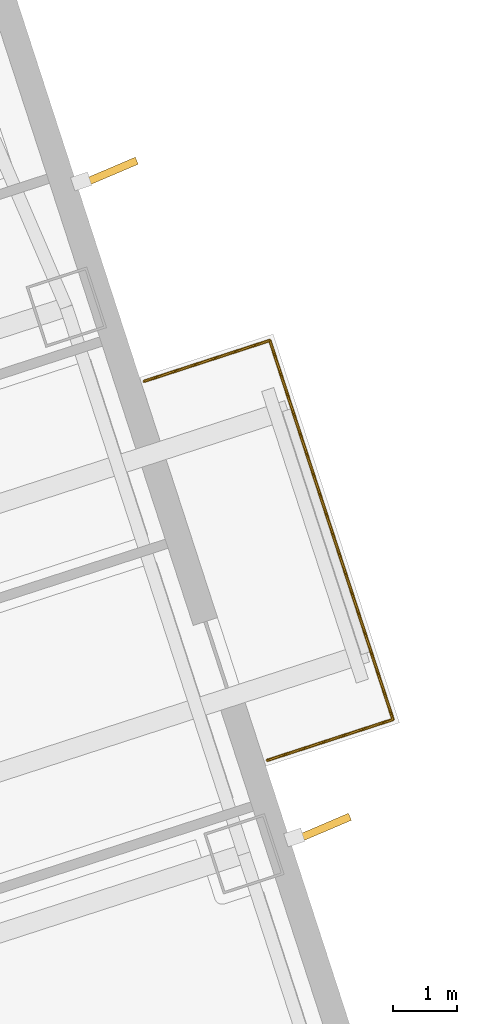
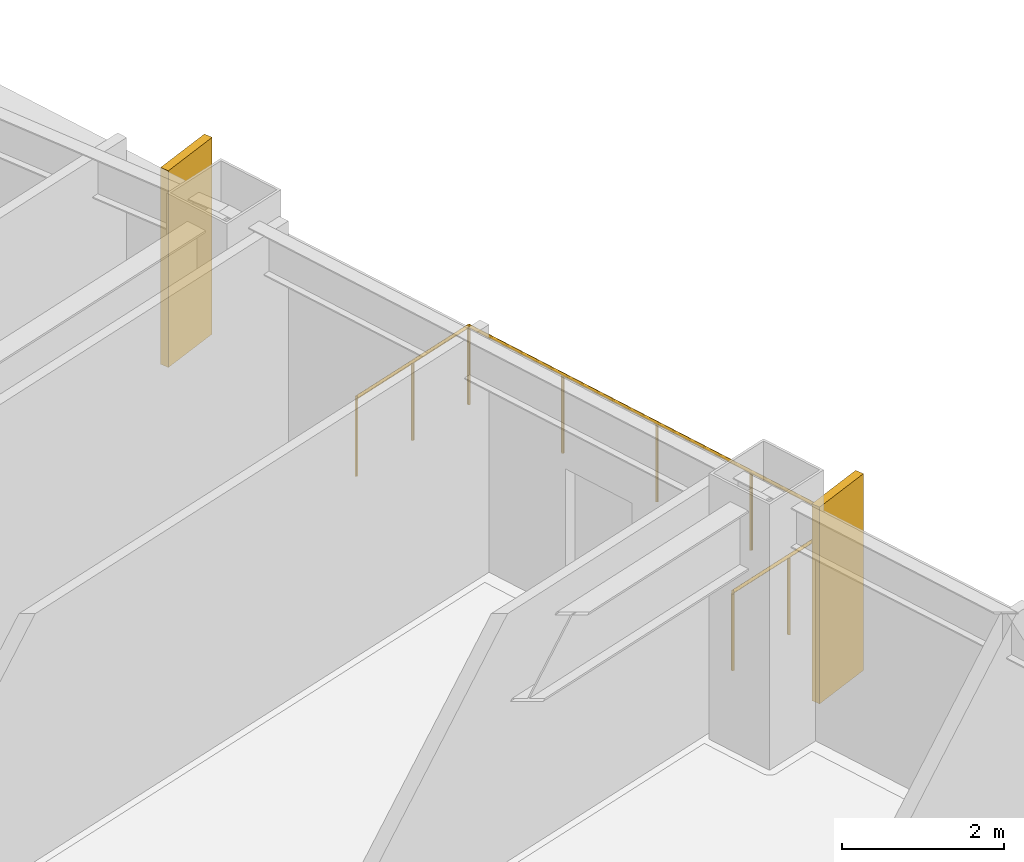
# One storey, part 21 of 21: 2 shading devices, 1 railing.
"""IFC4 building model written with IfcOpenShell, lengths in metres."""

from ifc_helpers import new_model, si_unit, direction, frame, origin, origin_2d, place, context, subcontext, project, spatial, rectangle, circle, extrude, material, layer, layer_set, type_object, element, save


model = new_model("IFC4")

# Units and contexts
model_context = context("Model", 3, precision=1e-05, world=origin(), true_north=direction((0.0, 1.0)))
body_context = subcontext(model_context, "Body", "Model", "MODEL_VIEW")
ifc_project = project(units=[si_unit("LENGTHUNIT", "METRE"), si_unit("AREAUNIT", "SQUARE_METRE"), si_unit("VOLUMEUNIT", "CUBIC_METRE"), si_unit("PLANEANGLEUNIT", "RADIAN"), si_unit("MASSUNIT", "GRAM", prefix="KILO")], contexts=[model_context])

# Site, building, storey
site_placement = place(None, origin())
site = spatial("IfcSite", under=ifc_project, at=site_placement, CompositionType="ELEMENT")
building_placement = place(site_placement, origin())
building = spatial("IfcBuilding", under=site, at=building_placement, Name="Qiaolan Cultural Towers", CompositionType="ELEMENT")
storey_placement = place(building_placement, frame((0.0, 0.0, 34.0)))
storey = spatial("IfcBuildingStorey", under=building, at=storey_placement, Name="L07", CompositionType="ELEMENT", Elevation=34.0)

# Railing
ifc_material_1 = material(Name="Laminated SentryGlas & Stainless Steel S31608 Balustrade", Category="steel")
railing_type = type_object("IfcRailingType", Name="GRD-TERR-1200", PredefinedType="BALUSTRADE", material=ifc_material_1)
railing_placement = place(storey_placement, frame((107.912353515625, 41.166015625, 0.0)))
element("IfcRailing", 1, at=railing_placement, inside=storey, type_object=railing_type, Name="L07 T2 Tree Balcony Guardrail E", PredefinedType="BALUSTRADE", context=body_context, shape_type="SweptSolid", body=[
    extrude(circle(Radius=0.02392578125, at=origin_2d()), frame((0.0, 0.0, 1.17578125), z_axis=(0.951061799618, 0.309000733507, 0.0), x_axis=(-0.309000733507, 0.951061799618, 0.0)), (0.0, 0.0, 1.0), 2.070068359375),
    extrude(circle(Radius=0.02392578125, at=origin_2d()), frame((1.96875, 0.6396484375, 1.17578125), z_axis=(-0.309047146287, 0.951046718817, 0.0), x_axis=(-0.951046718817, -0.309047146287, 0.0)), (0.0, 0.0, 1.0), 6.239990234375),
    extrude(circle(Radius=0.02392578125, at=origin_2d()), frame((0.040283203125, 6.57421875, 1.17578125), z_axis=(-0.951050536716, -0.309035397023, 0.0), x_axis=(0.309035397023, -0.951050536716, 0.0)), (0.0, 0.0, 1.0), 2.06982421875),
    extrude(circle(Radius=0.02099609375, at=origin_2d()), origin(), (0.0, 0.0, 1.0), 1.15185546875),
    extrude(circle(Radius=0.02099609375, at=origin_2d()), frame((0.984375, 0.31982421875, 0.0)), (0.0, 0.0, 1.0), 1.15185546875),
    extrude(circle(Radius=0.02099609375, at=origin_2d()), frame((1.96875, 0.6396484375, 0.0)), (0.0, 0.0, 1.0), 1.15185546875),
    extrude(circle(Radius=0.02099609375, at=origin_2d()), frame((1.486572265625, 2.123291015625, 0.0)), (0.0, 0.0, 1.0), 1.15185546875),
    extrude(circle(Radius=0.02099609375, at=origin_2d()), frame((1.00439453125, 3.60693359375, 0.0)), (0.0, 0.0, 1.0), 1.15185546875),
    extrude(circle(Radius=0.02099609375, at=origin_2d()), frame((0.5224609375, 5.090576171875, 0.0)), (0.0, 0.0, 1.0), 1.15185546875),
    extrude(circle(Radius=0.02099609375, at=origin_2d()), frame((0.040283203125, 6.57421875, 0.0)), (0.0, 0.0, 1.0), 1.15185546875),
    extrude(circle(Radius=0.02099609375, at=origin_2d()), frame((-0.94384765625, 6.25439453125, 0.0)), (0.0, 0.0, 1.0), 1.15185546875),
    extrude(circle(Radius=0.02099609375, at=origin_2d()), frame((-1.92822265625, 5.9345703125, 0.0)), (0.0, 0.0, 1.0), 1.15185546875),
])

# Shading devices
ifc_material_2 = material(Name="Dark Basalt Honed Precast Terracotta Fin", Category="masonry")
ifc_layer = layer(ifc_material_2, 0.1201171875)
ifc_layer_set = layer_set([ifc_layer], Name="Dark Basalt Honed Precast Terracotta Fin")
shading_device_type = type_object("IfcShadingDeviceType", Name="SHD-FIN-DARK", PredefinedType="USERDEFINED", material=ifc_layer_set)
for number, where, z_axis, x_axis, name in (
    (2, (108.79296875, 40.106201171875, 0.10009765625), (0.0, 0.0, 1.0), (0.919613873492, 0.392823527404, 0.0), "L07 T2 Expressive Precast Vertical Fin E2"),
    (3, (105.45556640625, 50.377685546875, 0.10009765625), (0.0, 0.0, 1.0), (0.919613873492, 0.392823527404, 0.0), "L07 T2 Expressive Precast Vertical Fin E3"),
):
    element("IfcShadingDevice", number, at=place(storey_placement, frame(where, z_axis=z_axis, x_axis=x_axis)), inside=storey, type_object=shading_device_type, Name=name, ObjectType="FIN", PredefinedType="USERDEFINED", context=body_context, shape_type="SweptSolid", body=[
        extrude(rectangle(XDim=0.89990234375, YDim=0.1201171875, at=origin_2d()), origin(), (0.0, 0.0, 1.0), 2.9599609375),
    ])

save(model, "model.ifc")
